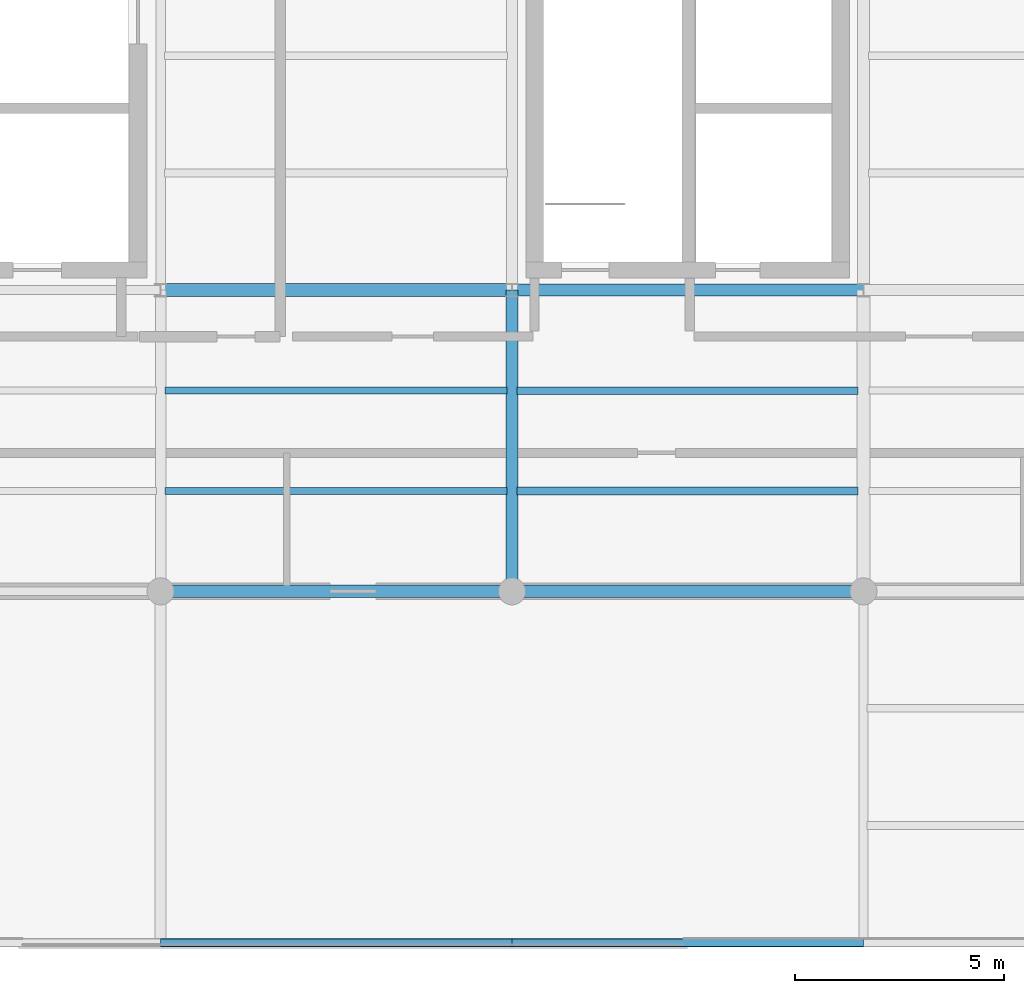
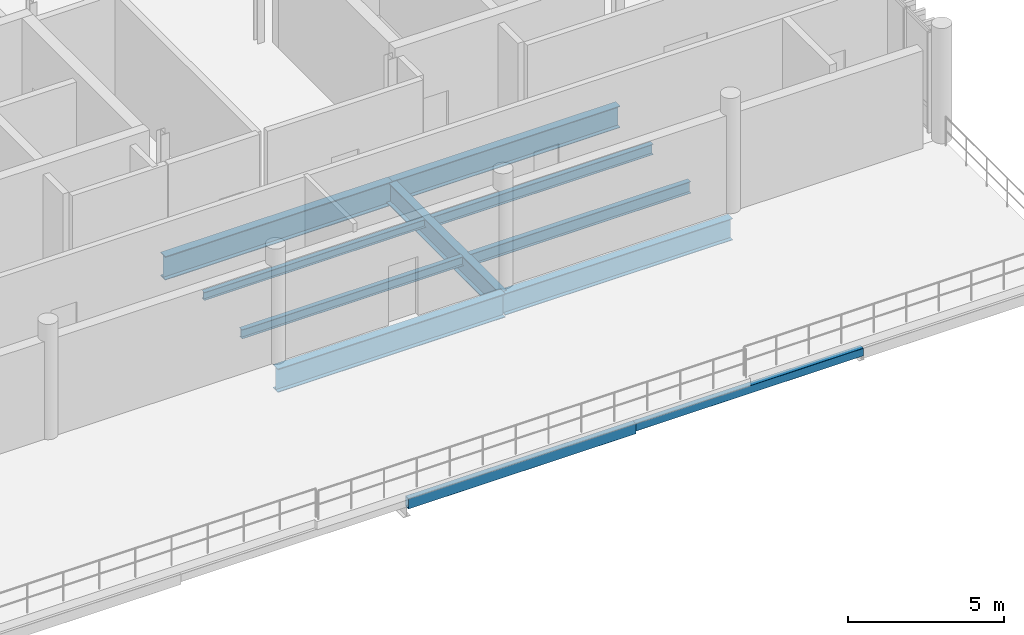
# One storey, part 8 of 66: 11 beams.
"""IFC4 building model written with IfcOpenShell, lengths in metres."""

from ifc_helpers import new_model, si_unit, direction, frame, origin_with_axes, origin_2d_with_axis, place, context, subcontext, project, spatial, hollow_rectangle, i_section, extrude, material, material_profile, profile_set, type_object, element, save


model = new_model("IFC4")

# Units and contexts
model_context = context("Model", 3, precision=1e-05, world=origin_with_axes(), true_north=direction((0.0, 1.0)))
body_context = subcontext(model_context, "Body", "Model", "MODEL_VIEW")
ifc_project = project(units=[si_unit("LENGTHUNIT", "METRE"), si_unit("AREAUNIT", "SQUARE_METRE"), si_unit("VOLUMEUNIT", "CUBIC_METRE"), si_unit("PLANEANGLEUNIT", "RADIAN"), si_unit("MASSUNIT", "GRAM", prefix="KILO"), si_unit("THERMODYNAMICTEMPERATUREUNIT", "KELVIN")], contexts=[model_context])

# Site, building, storey
site_placement = place(None, origin_with_axes())
site = spatial("IfcSite", under=ifc_project, at=site_placement, CompositionType="ELEMENT")
building_placement = place(site_placement, origin_with_axes())
building = spatial("IfcBuilding", under=site, at=building_placement, Name="Montbau Bow Law Courts", CompositionType="ELEMENT")
storey_placement = place(building_placement, frame((0.0, 0.0, 34.5), z_axis=(0.0, 0.0, 1.0), x_axis=(1.0, 0.0, 0.0)))
storey = spatial("IfcBuildingStorey", under=building, at=storey_placement, Name="L07", CompositionType="ELEMENT", Elevation=34.5)

# Beams
ifc_material_1 = material(Name="Steel CSA G40.21 Grade 350W (350 MPa)", Category="steel")
ifc_material_profile_1 = material_profile(ifc_material_1, i_section(OverallWidth=0.306, OverallDepth=0.919, WebThickness=0.0173, FlangeThickness=0.0279, at=origin_2d_with_axis()), Name="W920X253", Category="Main", Priority=0)
ifc_profile_set_1 = profile_set([ifc_material_profile_1], Name="Steel CSA G40.21 Grade 350W (350 MPa)")
beam_type_1 = type_object("IfcBeamType", Name="B-FLR-01", PredefinedType="BEAM", material=ifc_profile_set_1)
for number, where, z_axis, x_axis, name in (
    (1, (22.2, 39.0, 33.721), (1.0, 0.0, 0.0), (0.0, 1.0, 0.0), "BM-L07-S0720:bm2_0723"),
    (2, (22.2, 46.2, 33.741), (1.0, 0.0, 0.0), (0.0, 1.0, 0.0), "BM-L07-S0725:bm2_0728"),
):
    element("IfcBeam", number, at=place(None, frame(where, z_axis=z_axis, x_axis=x_axis)), inside=storey, type_object=beam_type_1, Name=name, PredefinedType="BEAM", context=body_context, shape_type="SweptSolid", body=[
        extrude(i_section(OverallWidth=0.306, OverallDepth=0.919, WebThickness=0.0173, FlangeThickness=0.0279, at=origin_2d_with_axis()), origin_with_axes(), (0.0, 0.0, 1.0), 8.4),
    ])
ifc_material_profile_2 = material_profile(ifc_material_1, i_section(OverallWidth=0.293, OverallDepth=0.846, WebThickness=0.0154, FlangeThickness=0.0244, at=origin_2d_with_axis()), Name="W840X210", Category="Main", Priority=0)
ifc_profile_set_2 = profile_set([ifc_material_profile_2], Name="Steel CSA G40.21 Grade 350W (350 MPa)")
beam_type_2 = type_object("IfcBeamType", Name="B-FLR-02", PredefinedType="BEAM", material=ifc_profile_set_2)
for number, where, z_axis, x_axis, name in (
    (3, (30.6, 39.0, 33.757), (1.0, 0.0, 0.0), (0.0, 1.0, 0.0), "BM-L07-S0721:bm2_0724"),
    (4, (30.6, 46.2, 33.777), (1.0, 0.0, 0.0), (0.0, 1.0, 0.0), "BM-L07-S0726:bm2_0729"),
):
    element("IfcBeam", number, at=place(None, frame(where, z_axis=z_axis, x_axis=x_axis)), inside=storey, type_object=beam_type_2, Name=name, PredefinedType="BEAM", context=body_context, shape_type="SweptSolid", body=[
        extrude(i_section(OverallWidth=0.293, OverallDepth=0.846, WebThickness=0.0154, FlangeThickness=0.0244, at=origin_2d_with_axis()), origin_with_axes(), (0.0, 0.0, 1.0), 8.4),
    ])
beam_1_placement = place(None, frame((30.6, 39.0, 33.757), z_axis=(0.0, 1.0, 0.0), x_axis=(-1.0, 0.0, 0.0)))
element("IfcBeam", 5, at=beam_1_placement, inside=storey, type_object=beam_type_2, Name="BM-L07-S0749:bm2_0752", PredefinedType="BEAM", context=body_context, shape_type="SweptSolid", body=[
    extrude(i_section(OverallWidth=0.293, OverallDepth=0.846, WebThickness=0.0154, FlangeThickness=0.0244, at=origin_2d_with_axis()), origin_with_axes(), (0.0, 0.0, 1.0), 7.2),
])
ifc_material_profile_3 = material_profile(ifc_material_1, i_section(OverallWidth=0.191, OverallDepth=0.46, WebThickness=0.0099, FlangeThickness=0.016, at=origin_2d_with_axis()), Name="W460X82", Category="Main", Priority=0)
ifc_profile_set_3 = profile_set([ifc_material_profile_3], Name="Steel CSA G40.21 Grade 350W (350 MPa)")
beam_type_3 = type_object("IfcBeamType", Name="B-JST-01", PredefinedType="JOIST", material=ifc_profile_set_3)
beam_2_placement = place(None, frame((30.723, 41.4, 33.95), z_axis=(1.0, 0.0, 0.0), x_axis=(0.0, 1.0, 0.0)))
element("IfcBeam", 6, at=beam_2_placement, inside=storey, type_object=beam_type_3, Name="JST-L07-S0376:jst2_0376", PredefinedType="JOIST", context=body_context, shape_type="SweptSolid", body=[
    extrude(i_section(OverallWidth=0.191, OverallDepth=0.46, WebThickness=0.0099, FlangeThickness=0.016, at=origin_2d_with_axis()), origin_with_axes(), (0.0, 0.0, 1.0), 8.148),
])
ifc_material_profile_4 = material_profile(ifc_material_1, i_section(OverallWidth=0.179, OverallDepth=0.41, WebThickness=0.0088, FlangeThickness=0.0144, at=origin_2d_with_axis()), Name="W410X67", Category="Main", Priority=0)
ifc_profile_set_4 = profile_set([ifc_material_profile_4], Name="Steel CSA G40.21 Grade 350W (350 MPa)")
beam_type_4 = type_object("IfcBeamType", Name="B-JST-02", PredefinedType="JOIST", material=ifc_profile_set_4)
beam_3_placement = place(None, frame((30.723, 43.8, 33.975), z_axis=(1.0, 0.0, 0.0), x_axis=(0.0, 1.0, 0.0)))
element("IfcBeam", 7, at=beam_3_placement, inside=storey, type_object=beam_type_4, Name="JST-L07-S0377:jst2_0377", PredefinedType="JOIST", context=body_context, shape_type="SweptSolid", body=[
    extrude(i_section(OverallWidth=0.179, OverallDepth=0.41, WebThickness=0.0088, FlangeThickness=0.0144, at=origin_2d_with_axis()), origin_with_axes(), (0.0, 0.0, 1.0), 8.148),
])
ifc_material_profile_5 = material_profile(ifc_material_1, i_section(OverallWidth=0.172, OverallDepth=0.358, WebThickness=0.0079, FlangeThickness=0.0131, at=origin_2d_with_axis()), Name="W360X57", Category="Main", Priority=0)
ifc_profile_set_5 = profile_set([ifc_material_profile_5], Name="Steel CSA G40.21 Grade 350W (350 MPa)")
beam_type_5 = type_object("IfcBeamType", Name="B-JST-03", PredefinedType="JOIST", material=ifc_profile_set_5)
beam_4_placement = place(None, frame((22.303, 41.4, 34.001), z_axis=(1.0, 0.0, 0.0), x_axis=(0.0, 1.0, 0.0)))
element("IfcBeam", 8, at=beam_4_placement, inside=storey, type_object=beam_type_5, Name="JST-L07-S0370:jst2_0370", PredefinedType="JOIST", context=body_context, shape_type="SweptSolid", body=[
    extrude(i_section(OverallWidth=0.172, OverallDepth=0.358, WebThickness=0.0079, FlangeThickness=0.0131, at=origin_2d_with_axis()), origin_with_axes(), (0.0, 0.0, 1.0), 8.175),
])
ifc_material_profile_6 = material_profile(ifc_material_1, i_section(OverallWidth=0.166, OverallDepth=0.313, WebThickness=0.0066, FlangeThickness=0.0112, at=origin_2d_with_axis()), Name="W310X45", Category="Main", Priority=0)
ifc_profile_set_6 = profile_set([ifc_material_profile_6], Name="Steel CSA G40.21 Grade 350W (350 MPa)")
beam_type_6 = type_object("IfcBeamType", Name="B-JST-04", PredefinedType="JOIST", material=ifc_profile_set_6)
beam_5_placement = place(None, frame((22.303, 43.8, 34.023), z_axis=(1.0, 0.0, 0.0), x_axis=(0.0, 1.0, 0.0)))
element("IfcBeam", 9, at=beam_5_placement, inside=storey, type_object=beam_type_6, Name="JST-L07-S0371:jst2_0371", PredefinedType="JOIST", context=body_context, shape_type="SweptSolid", body=[
    extrude(i_section(OverallWidth=0.166, OverallDepth=0.313, WebThickness=0.0066, FlangeThickness=0.0112, at=origin_2d_with_axis()), origin_with_axes(), (0.0, 0.0, 1.0), 8.175),
])
ifc_material_2 = material(Name="Steel CSA G40.21 Grade 350WT (350 MPa)", Category="steel")
ifc_material_profile_7 = material_profile(ifc_material_2, hollow_rectangle(XDim=0.203, YDim=0.406, WallThickness=0.0127, InnerFilletRadius=0.0254, OuterFilletRadius=0.0127, at=origin_2d_with_axis()), Name="HSS406X203X13", Category="Main", Priority=0)
ifc_profile_set_7 = profile_set([ifc_material_profile_7], Name="Steel CSA G40.21 Grade 350WT (350 MPa)")
beam_type_7 = type_object("IfcBeamType", Name="B-SPN-01", PredefinedType="SPANDREL", material=ifc_profile_set_7)
beam_6_placement = place(None, frame((22.2, 30.6, 33.977), z_axis=(1.0, 0.0, 0.0), x_axis=(0.0, 1.0, 0.0)))
element("IfcBeam", 10, at=beam_6_placement, inside=storey, type_object=beam_type_7, Name="SPN-L07-S0715:bm2_0718", PredefinedType="SPANDREL", context=body_context, shape_type="SweptSolid", body=[
    extrude(hollow_rectangle(XDim=0.203, YDim=0.406, WallThickness=0.0127, InnerFilletRadius=0.0254, OuterFilletRadius=0.0127, at=origin_2d_with_axis()), origin_with_axes(), (0.0, 0.0, 1.0), 8.4),
])
ifc_material_profile_8 = material_profile(ifc_material_2, hollow_rectangle(XDim=0.203, YDim=0.305, WallThickness=0.0127, InnerFilletRadius=0.0254, OuterFilletRadius=0.0127, at=origin_2d_with_axis()), Name="HSS305X203X13", Category="Main", Priority=0)
ifc_profile_set_8 = profile_set([ifc_material_profile_8], Name="Steel CSA G40.21 Grade 350WT (350 MPa)")
beam_type_8 = type_object("IfcBeamType", Name="B-SPN-02", PredefinedType="SPANDREL", material=ifc_profile_set_8)
beam_7_placement = place(None, frame((30.6, 30.6, 34.027), z_axis=(1.0, 0.0, 0.0), x_axis=(0.0, 1.0, 0.0)))
element("IfcBeam", 11, at=beam_7_placement, inside=storey, type_object=beam_type_8, Name="SPN-L07-S0716:bm2_0719", PredefinedType="SPANDREL", context=body_context, shape_type="SweptSolid", body=[
    extrude(hollow_rectangle(XDim=0.203, YDim=0.305, WallThickness=0.0127, InnerFilletRadius=0.0254, OuterFilletRadius=0.0127, at=origin_2d_with_axis()), origin_with_axes(), (0.0, 0.0, 1.0), 8.4),
])

save(model, "model.ifc")
